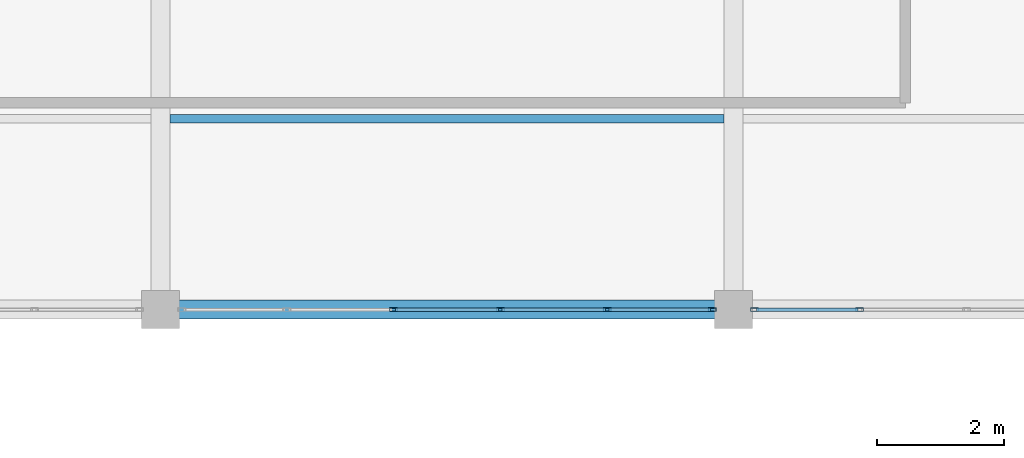
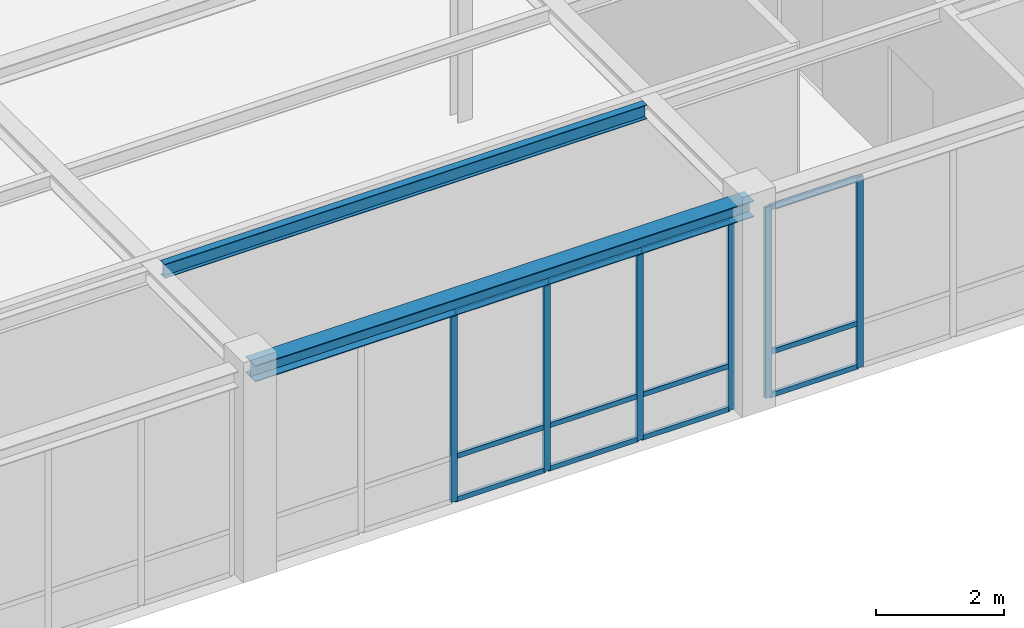
# One storey, part 93 of 130: 18 members, 2 beams, 2 elements without a shape of their own.
"""IFC4 building model written with IfcOpenShell, lengths in metres."""

from ifc_helpers import new_model, si_unit, direction, frame, origin, origin_2d, place, context, subcontext, project, spatial, hollow_rectangle, i_section, extrude, material, material_profile, profile_set, type_object, element, aggregate, save


model = new_model("IFC4")

# Units and contexts
model_context = context("Model", 3, precision=1e-05, world=origin(), true_north=direction((0.0, 1.0)))
body_context = subcontext(model_context, "Body", "Model", "MODEL_VIEW")
ifc_project = project(units=[si_unit("LENGTHUNIT", "METRE"), si_unit("AREAUNIT", "SQUARE_METRE"), si_unit("VOLUMEUNIT", "CUBIC_METRE"), si_unit("PLANEANGLEUNIT", "RADIAN"), si_unit("MASSUNIT", "GRAM", prefix="KILO")], contexts=[model_context])

# Site, building, storey
site_placement = place(None, origin())
site = spatial("IfcSite", under=ifc_project, at=site_placement, CompositionType="ELEMENT")
building_placement = place(site_placement, origin())
building = spatial("IfcBuilding", under=site, at=building_placement, Name="Lykobir Media Centre", CompositionType="ELEMENT")
storey_placement = place(building_placement, frame((0.0, 0.0, 19.199951171875)))
storey = spatial("IfcBuildingStorey", under=building, at=storey_placement, Name="L04", CompositionType="ELEMENT", Elevation=19.199951171875)

# Curtain wall, members
ifc_material_1 = material(Name="Anodized Aluminium AW-6060", Category="aluminium")
curtain_wall_type = type_object("IfcCurtainWallType", Name="CW-COURT-B", PredefinedType="NOTDEFINED", material=ifc_material_1)
curtain_wall_1_placement = place(storey_placement, origin())
curtain_wall_1 = element("IfcCurtainWall", 1, at=curtain_wall_1_placement, inside=storey, type_object=curtain_wall_type, Name="Curtain wall CW2-L04-0179", PredefinedType="NOTDEFINED")
ifc_material_profile_1 = material_profile(ifc_material_1, hollow_rectangle(XDim=0.054931640625, YDim=0.1201171875, WallThickness=0.003173828125, at=origin_2d()), Name="ALU MULLION 55x120")
ifc_profile_set_1 = profile_set([ifc_material_profile_1], Name="Anodized Aluminium AW-6060")
member_type_1 = type_object("IfcMemberType", Name="CWM-120", PredefinedType="MULLION", material=ifc_profile_set_1)
member_1_placement = place(storey_placement, frame((116.66748046875, 72.0, 0.0), z_axis=(0.0, 0.0, 1.0), x_axis=(0.0, -1.0, 0.0)))
member_1 = element("IfcMember", 2, at=member_1_placement, type_object=member_type_1, Name="CW2-L04-0179 mullion 1", PredefinedType="MULLION", context=body_context, shape_type="SweptSolid", body=[
    extrude(hollow_rectangle(XDim=0.054931640625, YDim=0.1201171875, WallThickness=0.003173828125, at=origin_2d()), origin(), (0.0, 0.0, 1.0), 3.623046875),
])
member_2_placement = place(storey_placement, frame((115.01708984375, 72.0, 0.0), z_axis=(0.0, 0.0, 1.0), x_axis=(0.0, -1.0, 0.0)))
member_2 = element("IfcMember", 3, at=member_2_placement, type_object=member_type_1, Name="CW2-L04-0179 mullion 2", PredefinedType="MULLION", context=body_context, shape_type="SweptSolid", body=[
    extrude(hollow_rectangle(XDim=0.054931640625, YDim=0.1201171875, WallThickness=0.003173828125, at=origin_2d()), origin(), (0.0, 0.0, 1.0), 3.623046875),
])
member_3_placement = place(storey_placement, frame((113.339111328125, 72.0, 0.0), z_axis=(0.0, 0.0, 1.0), x_axis=(0.0, -1.0, 0.0)))
member_3 = element("IfcMember", 4, at=member_3_placement, type_object=member_type_1, Name="CW2-L04-0179 mullion 3", PredefinedType="MULLION", context=body_context, shape_type="SweptSolid", body=[
    extrude(hollow_rectangle(XDim=0.054931640625, YDim=0.1201171875, WallThickness=0.003173828125, at=origin_2d()), origin(), (0.0, 0.0, 1.0), 3.623046875),
])
member_4_placement = place(storey_placement, frame((111.660888671875, 72.0, 0.0), z_axis=(0.0, 0.0, 1.0), x_axis=(0.0, -1.0, 0.0)))
member_4 = element("IfcMember", 5, at=member_4_placement, type_object=member_type_1, Name="CW2-L04-0179 mullion 4", PredefinedType="MULLION", context=body_context, shape_type="SweptSolid", body=[
    extrude(hollow_rectangle(XDim=0.054931640625, YDim=0.1201171875, WallThickness=0.003173828125, at=origin_2d()), origin(), (0.0, 0.0, 1.0), 3.623046875),
])

curtain_wall_2_placement = place(storey_placement, origin())
curtain_wall_2 = element("IfcCurtainWall", 6, at=curtain_wall_2_placement, inside=storey, type_object=curtain_wall_type, Name="Curtain wall CW2-L04-0180", PredefinedType="NOTDEFINED")
member_5_placement = place(storey_placement, frame((118.98291015625, 72.0, 0.0), z_axis=(0.0, 0.0, 1.0), x_axis=(0.0, -1.0, 0.0)))
member_5 = element("IfcMember", 7, at=member_5_placement, type_object=member_type_1, Name="CW2-L04-0180 mullion 5", PredefinedType="MULLION", context=body_context, shape_type="SweptSolid", body=[
    extrude(hollow_rectangle(XDim=0.054931640625, YDim=0.1201171875, WallThickness=0.003173828125, at=origin_2d()), origin(), (0.0, 0.0, 1.0), 3.635009765625),
])
member_6_placement = place(storey_placement, frame((117.33251953125, 72.0, 0.0), z_axis=(0.0, 0.0, 1.0), x_axis=(0.0, -1.0, 0.0)))
member_6 = element("IfcMember", 8, at=member_6_placement, type_object=member_type_1, Name="CW2-L04-0180 mullion 6", PredefinedType="MULLION", context=body_context, shape_type="SweptSolid", body=[
    extrude(hollow_rectangle(XDim=0.054931640625, YDim=0.1201171875, WallThickness=0.003173828125, at=origin_2d()), origin(), (0.0, 0.0, 1.0), 3.635009765625),
])

# Member
ifc_material_profile_2 = material_profile(ifc_material_1, hollow_rectangle(XDim=0.054931640625, YDim=0.094970703125, WallThickness=0.0029296875, at=origin_2d()), Name="ALU TRANSOM 55x95")
ifc_profile_set_2 = profile_set([ifc_material_profile_2], Name="Anodized Aluminium AW-6060")
member_type_2 = type_object("IfcMemberType", Name="CWT-095", PredefinedType="USERDEFINED", material=ifc_profile_set_2)
member_7_placement = place(storey_placement, frame((116.639892578125, 72.0, 0.027587890625), z_axis=(-1.0, 0.0, 0.0), x_axis=(0.0, -1.0, 0.0)))
member_7 = element("IfcMember", 9, at=member_7_placement, type_object=member_type_2, Name="CW2-L04-0179 transom 1.1", ObjectType="TRANSOM", PredefinedType="USERDEFINED", context=body_context, shape_type="SweptSolid", body=[
    extrude(hollow_rectangle(XDim=0.054931640625, YDim=0.094970703125, WallThickness=0.0029296875, at=origin_2d()), origin(), (0.0, 0.0, 1.0), 1.595458984375),
])

member_8_placement = place(storey_placement, frame((116.639892578125, 72.0, 0.85009765625), z_axis=(-1.0, 0.0, 0.0), x_axis=(0.0, -1.0, 0.0)))
member_8 = element("IfcMember", 10, at=member_8_placement, type_object=member_type_2, Name="CW2-L04-0179 transom 1.2", ObjectType="TRANSOM", PredefinedType="USERDEFINED", context=body_context, shape_type="SweptSolid", body=[
    extrude(hollow_rectangle(XDim=0.054931640625, YDim=0.094970703125, WallThickness=0.0029296875, at=origin_2d()), origin(), (0.0, 0.0, 1.0), 1.595458984375),
])

member_9_placement = place(storey_placement, frame((116.639892578125, 72.0, 3.595458984375), z_axis=(-1.0, 0.0, 0.0), x_axis=(0.0, -1.0, 0.0)))
member_9 = element("IfcMember", 11, at=member_9_placement, type_object=member_type_2, Name="CW2-L04-0179 transom 1.3", ObjectType="TRANSOM", PredefinedType="USERDEFINED", context=body_context, shape_type="SweptSolid", body=[
    extrude(hollow_rectangle(XDim=0.054931640625, YDim=0.094970703125, WallThickness=0.0029296875, at=origin_2d()), origin(), (0.0, 0.0, 1.0), 1.595458984375),
])

member_10_placement = place(storey_placement, frame((114.989501953125, 72.0, 0.027587890625), z_axis=(-1.0, 0.0, 0.0), x_axis=(0.0, -1.0, 0.0)))
member_10 = element("IfcMember", 12, at=member_10_placement, type_object=member_type_2, Name="CW2-L04-0179 transom 2.1", ObjectType="TRANSOM", PredefinedType="USERDEFINED", context=body_context, shape_type="SweptSolid", body=[
    extrude(hollow_rectangle(XDim=0.054931640625, YDim=0.094970703125, WallThickness=0.0029296875, at=origin_2d()), origin(), (0.0, 0.0, 1.0), 1.623046875),
])

member_11_placement = place(storey_placement, frame((114.989501953125, 72.0, 0.85009765625), z_axis=(-1.0, 0.0, 0.0), x_axis=(0.0, -1.0, 0.0)))
member_11 = element("IfcMember", 13, at=member_11_placement, type_object=member_type_2, Name="CW2-L04-0179 transom 2.2", ObjectType="TRANSOM", PredefinedType="USERDEFINED", context=body_context, shape_type="SweptSolid", body=[
    extrude(hollow_rectangle(XDim=0.054931640625, YDim=0.094970703125, WallThickness=0.0029296875, at=origin_2d()), origin(), (0.0, 0.0, 1.0), 1.623046875),
])

member_12_placement = place(storey_placement, frame((114.989501953125, 72.0, 3.595458984375), z_axis=(-1.0, 0.0, 0.0), x_axis=(0.0, -1.0, 0.0)))
member_12 = element("IfcMember", 14, at=member_12_placement, type_object=member_type_2, Name="CW2-L04-0179 transom 2.3", ObjectType="TRANSOM", PredefinedType="USERDEFINED", context=body_context, shape_type="SweptSolid", body=[
    extrude(hollow_rectangle(XDim=0.054931640625, YDim=0.094970703125, WallThickness=0.0029296875, at=origin_2d()), origin(), (0.0, 0.0, 1.0), 1.623046875),
])

member_13_placement = place(storey_placement, frame((113.3115234375, 72.0, 0.027587890625), z_axis=(-1.0, 0.0, 0.0), x_axis=(0.0, -1.0, 0.0)))
member_13 = element("IfcMember", 15, at=member_13_placement, type_object=member_type_2, Name="CW2-L04-0179 transom 3.1", ObjectType="TRANSOM", PredefinedType="USERDEFINED", context=body_context, shape_type="SweptSolid", body=[
    extrude(hollow_rectangle(XDim=0.054931640625, YDim=0.094970703125, WallThickness=0.0029296875, at=origin_2d()), origin(), (0.0, 0.0, 1.0), 1.623046875),
])

member_14_placement = place(storey_placement, frame((113.3115234375, 72.0, 0.85009765625), z_axis=(-1.0, 0.0, 0.0), x_axis=(0.0, -1.0, 0.0)))
member_14 = element("IfcMember", 16, at=member_14_placement, type_object=member_type_2, Name="CW2-L04-0179 transom 3.2", ObjectType="TRANSOM", PredefinedType="USERDEFINED", context=body_context, shape_type="SweptSolid", body=[
    extrude(hollow_rectangle(XDim=0.054931640625, YDim=0.094970703125, WallThickness=0.0029296875, at=origin_2d()), origin(), (0.0, 0.0, 1.0), 1.623046875),
])

member_15_placement = place(storey_placement, frame((113.3115234375, 72.0, 3.595458984375), z_axis=(-1.0, 0.0, 0.0), x_axis=(0.0, -1.0, 0.0)))
member_15 = element("IfcMember", 17, at=member_15_placement, type_object=member_type_2, Name="CW2-L04-0179 transom 3.3", ObjectType="TRANSOM", PredefinedType="USERDEFINED", context=body_context, shape_type="SweptSolid", body=[
    extrude(hollow_rectangle(XDim=0.054931640625, YDim=0.094970703125, WallThickness=0.0029296875, at=origin_2d()), origin(), (0.0, 0.0, 1.0), 1.623046875),
])

aggregate(curtain_wall_1, [member_1, member_2, member_3, member_4, member_7, member_8, member_9, member_10, member_11, member_12, member_13, member_14, member_15])

member_16_placement = place(storey_placement, frame((118.95556640625, 72.0, 0.027587890625), z_axis=(-1.0, 0.0, 0.0), x_axis=(0.0, -1.0, 0.0)))
member_16 = element("IfcMember", 18, at=member_16_placement, type_object=member_type_2, Name="CW2-L04-0180 transom 5.1", ObjectType="TRANSOM", PredefinedType="USERDEFINED", context=body_context, shape_type="SweptSolid", body=[
    extrude(hollow_rectangle(XDim=0.054931640625, YDim=0.094970703125, WallThickness=0.0029296875, at=origin_2d()), origin(), (0.0, 0.0, 1.0), 1.595458984375),
])

member_17_placement = place(storey_placement, frame((118.95556640625, 72.0, 0.85009765625), z_axis=(-1.0, 0.0, 0.0), x_axis=(0.0, -1.0, 0.0)))
member_17 = element("IfcMember", 19, at=member_17_placement, type_object=member_type_2, Name="CW2-L04-0180 transom 5.2", ObjectType="TRANSOM", PredefinedType="USERDEFINED", context=body_context, shape_type="SweptSolid", body=[
    extrude(hollow_rectangle(XDim=0.054931640625, YDim=0.094970703125, WallThickness=0.0029296875, at=origin_2d()), origin(), (0.0, 0.0, 1.0), 1.595458984375),
])

member_18_placement = place(storey_placement, frame((118.95556640625, 72.0, 3.607666015625), z_axis=(-1.0, 0.0, 0.0), x_axis=(0.0, -1.0, 0.0)))
member_18 = element("IfcMember", 20, at=member_18_placement, type_object=member_type_2, Name="CW2-L04-0180 transom 5.3", ObjectType="TRANSOM", PredefinedType="USERDEFINED", context=body_context, shape_type="SweptSolid", body=[
    extrude(hollow_rectangle(XDim=0.054931640625, YDim=0.094970703125, WallThickness=0.0029296875, at=origin_2d()), origin(), (0.0, 0.0, 1.0), 1.595458984375),
])

aggregate(curtain_wall_2, [member_5, member_6, member_16, member_17, member_18])

# Beams
ifc_material_2 = material(Name="Steel S355", Category="steel")
ifc_material_profile_3 = material_profile(ifc_material_2, i_section(OverallWidth=0.135009765625, OverallDepth=0.27001953125, WebThickness=0.006591796875, FlangeThickness=0.01025390625, at=origin_2d()), Name="IPE 270")
ifc_profile_set_3 = profile_set([ifc_material_profile_3], Name="Steel S355")
beam_type_1 = type_object("IfcBeamType", Name="JS-IPE270", PredefinedType="JOIST", material=ifc_profile_set_3)
beam_1_placement = place(storey_placement, frame((108.14990234375, 75.0, 3.824951171875), z_axis=(1.0, 0.0, 0.0), x_axis=(0.0, 1.0, 0.0)))
element("IfcBeam", 21, at=beam_1_placement, inside=storey, type_object=beam_type_1, Name="Beam BM-L04-1082-0750-1168-0750-2302", PredefinedType="JOIST", context=body_context, shape_type="SweptSolid", body=[
    extrude(i_section(OverallWidth=0.135009765625, OverallDepth=0.27001953125, WebThickness=0.006591796875, FlangeThickness=0.01025390625, at=origin_2d()), origin(), (0.0, 0.0, 1.0), 8.7001953125),
])
ifc_material_profile_4 = material_profile(ifc_material_2, i_section(OverallWidth=0.300048828125, OverallDepth=0.31005859375, WebThickness=0.009033203125, FlangeThickness=0.015380859375, at=origin_2d()), Name="HEA 320")
ifc_profile_set_4 = profile_set([ifc_material_profile_4], Name="Steel S355")
beam_type_2 = type_object("IfcBeamType", Name="SP-HEA320", PredefinedType="SPANDREL", material=ifc_profile_set_4)
beam_2_placement = place(storey_placement, frame((108.0, 72.0, 3.79296875), z_axis=(1.0, 0.0, 0.0), x_axis=(0.0, 1.0, 0.0)))
element("IfcBeam", 22, at=beam_2_placement, inside=storey, type_object=beam_type_2, Name="Beam BM-L04-1080-0720-1170-0720-2300", PredefinedType="SPANDREL", context=body_context, shape_type="SweptSolid", body=[
    extrude(i_section(OverallWidth=0.300048828125, OverallDepth=0.31005859375, WebThickness=0.009033203125, FlangeThickness=0.015380859375, at=origin_2d()), origin(), (0.0, 0.0, 1.0), 9.0),
])

save(model, "model.ifc")
